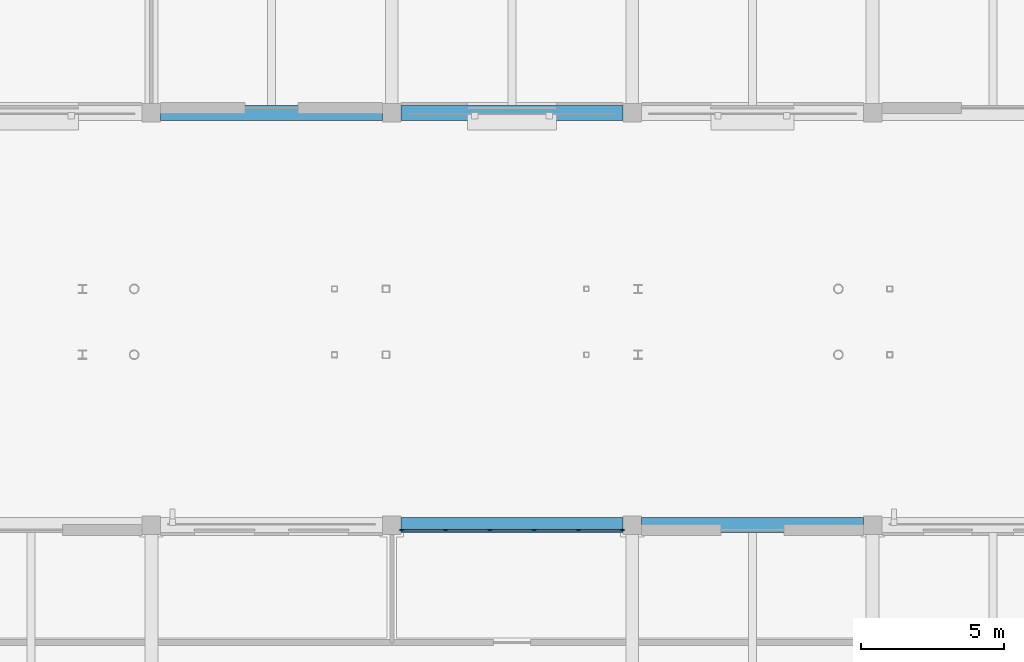
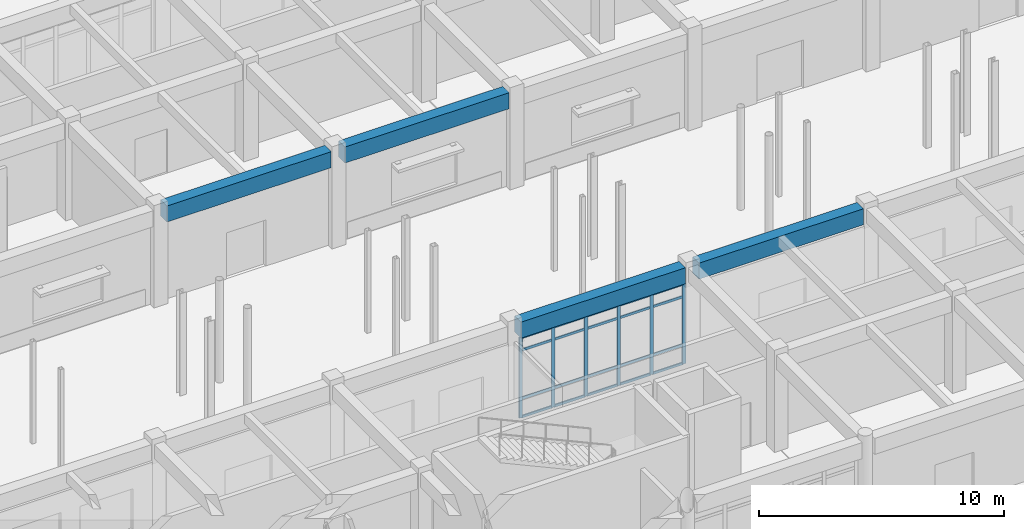
# One storey, part 45 of 121: 26 members, 4 beams, 1 element without a shape of its own.
"""IFC4 building model written with IfcOpenShell, lengths in metres."""

from ifc_helpers import new_model, si_unit, direction, frame, origin, origin_2d, place, context, subcontext, project, spatial, rectangle, extrude, material, material_profile, profile_set, type_object, element, aggregate, save


model = new_model("IFC4")

# Units and contexts
model_context = context("Model", 3, precision=1e-05, world=origin(), true_north=direction((0.0, 1.0)))
body_context = subcontext(model_context, "Body", "Model", "MODEL_VIEW")
ifc_project = project(units=[si_unit("LENGTHUNIT", "METRE"), si_unit("AREAUNIT", "SQUARE_METRE"), si_unit("VOLUMEUNIT", "CUBIC_METRE"), si_unit("PLANEANGLEUNIT", "RADIAN"), si_unit("MASSUNIT", "GRAM", prefix="KILO")], contexts=[model_context])

# Site, building, storey
site_placement = place(None, origin())
site = spatial("IfcSite", under=ifc_project, at=site_placement, CompositionType="ELEMENT")
building_placement = place(site_placement, origin())
building = spatial("IfcBuilding", under=site, at=building_placement, Name="Malvenik Polytechnic", CompositionType="ELEMENT")
storey_placement = place(building_placement, origin())
storey = spatial("IfcBuildingStorey", under=building, at=storey_placement, Name="L00", CompositionType="ELEMENT", Elevation=0.0)

# Curtain wall, members
ifc_material_1 = material(Name="Anodised aluminium 6060-T6", Category="aluminium")
curtain_wall_type = type_object("IfcCurtainWallType", Name="ARC-CW-CW-01", PredefinedType="NOTDEFINED", material=ifc_material_1)
curtain_wall_placement = place(storey_placement, origin())
curtain_wall = element("IfcCurtainWall", 1, at=curtain_wall_placement, inside=storey, type_object=curtain_wall_type, Name="Unitised Curtain Wall CW-01 L00 #5", PredefinedType="NOTDEFINED")
ifc_material_2 = material(Name="Anodised aluminium", Category="aluminium")
ifc_material_profile_1 = material_profile(ifc_material_2, rectangle(XDim=0.06005859375, YDim=0.159912109375, at=origin_2d()), Name="ALU MULLION 60x160")
ifc_profile_set_1 = profile_set([ifc_material_profile_1], Name="Anodised aluminium")
member_type_1 = type_object("IfcMemberType", Name="ARC-CWM-160", PredefinedType="MULLION", material=ifc_profile_set_1)
member_1_placement = place(storey_placement, frame((42.35302734375, 64.6298828125, 0.0), z_axis=(0.0, 0.0, 1.0), x_axis=(0.0, 1.0, 0.0)))
member_1 = element("IfcMember", 2, at=member_1_placement, type_object=member_type_1, Name="CW-01 mullion 1", PredefinedType="MULLION", context=body_context, shape_type="SweptSolid", body=[
    extrude(rectangle(XDim=0.06005859375, YDim=0.159912109375, at=origin_2d()), origin(), (0.0, 0.0, 1.0), 4.010009765625),
])
member_2_placement = place(storey_placement, frame((43.873779296875, 64.6298828125, 0.0), z_axis=(0.0, 0.0, 1.0), x_axis=(0.0, 1.0, 0.0)))
member_2 = element("IfcMember", 3, at=member_2_placement, type_object=member_type_1, Name="CW-01 mullion 2", PredefinedType="MULLION", context=body_context, shape_type="SweptSolid", body=[
    extrude(rectangle(XDim=0.06005859375, YDim=0.159912109375, at=origin_2d()), origin(), (0.0, 0.0, 1.0), 4.010009765625),
])
member_3_placement = place(storey_placement, frame((45.424560546875, 64.6298828125, 0.0), z_axis=(0.0, 0.0, 1.0), x_axis=(0.0, 1.0, 0.0)))
member_3 = element("IfcMember", 4, at=member_3_placement, type_object=member_type_1, Name="CW-01 mullion 3", PredefinedType="MULLION", context=body_context, shape_type="SweptSolid", body=[
    extrude(rectangle(XDim=0.06005859375, YDim=0.159912109375, at=origin_2d()), origin(), (0.0, 0.0, 1.0), 4.010009765625),
])
member_4_placement = place(storey_placement, frame((46.975341796875, 64.6298828125, 0.0), z_axis=(0.0, 0.0, 1.0), x_axis=(0.0, 1.0, 0.0)))
member_4 = element("IfcMember", 5, at=member_4_placement, type_object=member_type_1, Name="CW-01 mullion 4", PredefinedType="MULLION", context=body_context, shape_type="SweptSolid", body=[
    extrude(rectangle(XDim=0.06005859375, YDim=0.159912109375, at=origin_2d()), origin(), (0.0, 0.0, 1.0), 4.010009765625),
])
member_5_placement = place(storey_placement, frame((48.526123046875, 64.6298828125, 0.0), z_axis=(0.0, 0.0, 1.0), x_axis=(0.0, 1.0, 0.0)))
member_5 = element("IfcMember", 6, at=member_5_placement, type_object=member_type_1, Name="CW-01 mullion 5", PredefinedType="MULLION", context=body_context, shape_type="SweptSolid", body=[
    extrude(rectangle(XDim=0.06005859375, YDim=0.159912109375, at=origin_2d()), origin(), (0.0, 0.0, 1.0), 4.010009765625),
])
member_6_placement = place(storey_placement, frame((50.047119140625, 64.6298828125, 0.0), z_axis=(0.0, 0.0, 1.0), x_axis=(0.0, 1.0, 0.0)))
member_6 = element("IfcMember", 7, at=member_6_placement, type_object=member_type_1, Name="CW-01 mullion 6", PredefinedType="MULLION", context=body_context, shape_type="SweptSolid", body=[
    extrude(rectangle(XDim=0.06005859375, YDim=0.159912109375, at=origin_2d()), origin(), (0.0, 0.0, 1.0), 4.010009765625),
])
ifc_material_profile_2 = material_profile(ifc_material_2, rectangle(XDim=0.06005859375, YDim=0.1201171875, at=origin_2d()), Name="ALU TRANSOM 60x120")
ifc_profile_set_2 = profile_set([ifc_material_profile_2], Name="Anodised aluminium")
member_type_2 = type_object("IfcMemberType", Name="ARC-CWT-120", PredefinedType="USERDEFINED", material=ifc_profile_set_2)
member_7_placement = place(storey_placement, frame((42.383056640625, 64.6298828125, 0.030029296875), z_axis=(1.0, 0.0, 0.0), x_axis=(0.0, 1.0, 0.0)))
member_7 = element("IfcMember", 8, at=member_7_placement, type_object=member_type_2, Name="CW-01 transom 1.1", ObjectType="TRANSOM", PredefinedType="USERDEFINED", context=body_context, shape_type="SweptSolid", body=[
    extrude(rectangle(XDim=0.06005859375, YDim=0.1201171875, at=origin_2d()), origin(), (0.0, 0.0, 1.0), 1.460693359375),
])
member_8_placement = place(storey_placement, frame((42.383056640625, 64.6298828125, 0.949951171875), z_axis=(1.0, 0.0, 0.0), x_axis=(0.0, 1.0, 0.0)))
member_8 = element("IfcMember", 9, at=member_8_placement, type_object=member_type_2, Name="CW-01 transom 1.2", ObjectType="TRANSOM", PredefinedType="USERDEFINED", context=body_context, shape_type="SweptSolid", body=[
    extrude(rectangle(XDim=0.06005859375, YDim=0.1201171875, at=origin_2d()), origin(), (0.0, 0.0, 1.0), 1.460693359375),
])
member_9_placement = place(storey_placement, frame((42.383056640625, 64.6298828125, 3.360107421875), z_axis=(1.0, 0.0, 0.0), x_axis=(0.0, 1.0, 0.0)))
member_9 = element("IfcMember", 10, at=member_9_placement, type_object=member_type_2, Name="CW-01 transom 1.3", ObjectType="TRANSOM", PredefinedType="USERDEFINED", context=body_context, shape_type="SweptSolid", body=[
    extrude(rectangle(XDim=0.06005859375, YDim=0.1201171875, at=origin_2d()), origin(), (0.0, 0.0, 1.0), 1.460693359375),
])
member_10_placement = place(storey_placement, frame((42.383056640625, 64.6298828125, 3.97998046875), z_axis=(1.0, 0.0, 0.0), x_axis=(0.0, 1.0, 0.0)))
member_10 = element("IfcMember", 11, at=member_10_placement, type_object=member_type_2, Name="CW-01 transom 1.4", ObjectType="TRANSOM", PredefinedType="USERDEFINED", context=body_context, shape_type="SweptSolid", body=[
    extrude(rectangle(XDim=0.06005859375, YDim=0.1201171875, at=origin_2d()), origin(), (0.0, 0.0, 1.0), 1.460693359375),
])
member_11_placement = place(storey_placement, frame((43.90380859375, 64.6298828125, 0.030029296875), z_axis=(1.0, 0.0, 0.0), x_axis=(0.0, 1.0, 0.0)))
member_11 = element("IfcMember", 12, at=member_11_placement, type_object=member_type_2, Name="CW-01 transom 2.1", ObjectType="TRANSOM", PredefinedType="USERDEFINED", context=body_context, shape_type="SweptSolid", body=[
    extrude(rectangle(XDim=0.06005859375, YDim=0.1201171875, at=origin_2d()), origin(), (0.0, 0.0, 1.0), 1.49072265625),
])
member_12_placement = place(storey_placement, frame((43.90380859375, 64.6298828125, 0.949951171875), z_axis=(1.0, 0.0, 0.0), x_axis=(0.0, 1.0, 0.0)))
member_12 = element("IfcMember", 13, at=member_12_placement, type_object=member_type_2, Name="CW-01 transom 2.2", ObjectType="TRANSOM", PredefinedType="USERDEFINED", context=body_context, shape_type="SweptSolid", body=[
    extrude(rectangle(XDim=0.06005859375, YDim=0.1201171875, at=origin_2d()), origin(), (0.0, 0.0, 1.0), 1.49072265625),
])
member_13_placement = place(storey_placement, frame((43.90380859375, 64.6298828125, 3.360107421875), z_axis=(1.0, 0.0, 0.0), x_axis=(0.0, 1.0, 0.0)))
member_13 = element("IfcMember", 14, at=member_13_placement, type_object=member_type_2, Name="CW-01 transom 2.3", ObjectType="TRANSOM", PredefinedType="USERDEFINED", context=body_context, shape_type="SweptSolid", body=[
    extrude(rectangle(XDim=0.06005859375, YDim=0.1201171875, at=origin_2d()), origin(), (0.0, 0.0, 1.0), 1.49072265625),
])
member_14_placement = place(storey_placement, frame((43.90380859375, 64.6298828125, 3.97998046875), z_axis=(1.0, 0.0, 0.0), x_axis=(0.0, 1.0, 0.0)))
member_14 = element("IfcMember", 15, at=member_14_placement, type_object=member_type_2, Name="CW-01 transom 2.4", ObjectType="TRANSOM", PredefinedType="USERDEFINED", context=body_context, shape_type="SweptSolid", body=[
    extrude(rectangle(XDim=0.06005859375, YDim=0.1201171875, at=origin_2d()), origin(), (0.0, 0.0, 1.0), 1.49072265625),
])
member_15_placement = place(storey_placement, frame((45.45458984375, 64.6298828125, 0.030029296875), z_axis=(1.0, 0.0, 0.0), x_axis=(0.0, 1.0, 0.0)))
member_15 = element("IfcMember", 16, at=member_15_placement, type_object=member_type_2, Name="CW-01 transom 3.1", ObjectType="TRANSOM", PredefinedType="USERDEFINED", context=body_context, shape_type="SweptSolid", body=[
    extrude(rectangle(XDim=0.06005859375, YDim=0.1201171875, at=origin_2d()), origin(), (0.0, 0.0, 1.0), 1.49072265625),
])
member_16_placement = place(storey_placement, frame((45.45458984375, 64.6298828125, 0.949951171875), z_axis=(1.0, 0.0, 0.0), x_axis=(0.0, 1.0, 0.0)))
member_16 = element("IfcMember", 17, at=member_16_placement, type_object=member_type_2, Name="CW-01 transom 3.2", ObjectType="TRANSOM", PredefinedType="USERDEFINED", context=body_context, shape_type="SweptSolid", body=[
    extrude(rectangle(XDim=0.06005859375, YDim=0.1201171875, at=origin_2d()), origin(), (0.0, 0.0, 1.0), 1.49072265625),
])
member_17_placement = place(storey_placement, frame((45.45458984375, 64.6298828125, 3.360107421875), z_axis=(1.0, 0.0, 0.0), x_axis=(0.0, 1.0, 0.0)))
member_17 = element("IfcMember", 18, at=member_17_placement, type_object=member_type_2, Name="CW-01 transom 3.3", ObjectType="TRANSOM", PredefinedType="USERDEFINED", context=body_context, shape_type="SweptSolid", body=[
    extrude(rectangle(XDim=0.06005859375, YDim=0.1201171875, at=origin_2d()), origin(), (0.0, 0.0, 1.0), 1.49072265625),
])
member_18_placement = place(storey_placement, frame((45.45458984375, 64.6298828125, 3.97998046875), z_axis=(1.0, 0.0, 0.0), x_axis=(0.0, 1.0, 0.0)))
member_18 = element("IfcMember", 19, at=member_18_placement, type_object=member_type_2, Name="CW-01 transom 3.4", ObjectType="TRANSOM", PredefinedType="USERDEFINED", context=body_context, shape_type="SweptSolid", body=[
    extrude(rectangle(XDim=0.06005859375, YDim=0.1201171875, at=origin_2d()), origin(), (0.0, 0.0, 1.0), 1.49072265625),
])
member_19_placement = place(storey_placement, frame((47.00537109375, 64.6298828125, 0.030029296875), z_axis=(1.0, 0.0, 0.0), x_axis=(0.0, 1.0, 0.0)))
member_19 = element("IfcMember", 20, at=member_19_placement, type_object=member_type_2, Name="CW-01 transom 4.1", ObjectType="TRANSOM", PredefinedType="USERDEFINED", context=body_context, shape_type="SweptSolid", body=[
    extrude(rectangle(XDim=0.06005859375, YDim=0.1201171875, at=origin_2d()), origin(), (0.0, 0.0, 1.0), 1.49072265625),
])
member_20_placement = place(storey_placement, frame((47.00537109375, 64.6298828125, 0.949951171875), z_axis=(1.0, 0.0, 0.0), x_axis=(0.0, 1.0, 0.0)))
member_20 = element("IfcMember", 21, at=member_20_placement, type_object=member_type_2, Name="CW-01 transom 4.2", ObjectType="TRANSOM", PredefinedType="USERDEFINED", context=body_context, shape_type="SweptSolid", body=[
    extrude(rectangle(XDim=0.06005859375, YDim=0.1201171875, at=origin_2d()), origin(), (0.0, 0.0, 1.0), 1.49072265625),
])
member_21_placement = place(storey_placement, frame((47.00537109375, 64.6298828125, 3.360107421875), z_axis=(1.0, 0.0, 0.0), x_axis=(0.0, 1.0, 0.0)))
member_21 = element("IfcMember", 22, at=member_21_placement, type_object=member_type_2, Name="CW-01 transom 4.3", ObjectType="TRANSOM", PredefinedType="USERDEFINED", context=body_context, shape_type="SweptSolid", body=[
    extrude(rectangle(XDim=0.06005859375, YDim=0.1201171875, at=origin_2d()), origin(), (0.0, 0.0, 1.0), 1.49072265625),
])
member_22_placement = place(storey_placement, frame((47.00537109375, 64.6298828125, 3.97998046875), z_axis=(1.0, 0.0, 0.0), x_axis=(0.0, 1.0, 0.0)))
member_22 = element("IfcMember", 23, at=member_22_placement, type_object=member_type_2, Name="CW-01 transom 4.4", ObjectType="TRANSOM", PredefinedType="USERDEFINED", context=body_context, shape_type="SweptSolid", body=[
    extrude(rectangle(XDim=0.06005859375, YDim=0.1201171875, at=origin_2d()), origin(), (0.0, 0.0, 1.0), 1.49072265625),
])
member_23_placement = place(storey_placement, frame((48.55615234375, 64.6298828125, 0.030029296875), z_axis=(1.0, 0.0, 0.0), x_axis=(0.0, 1.0, 0.0)))
member_23 = element("IfcMember", 24, at=member_23_placement, type_object=member_type_2, Name="CW-01 transom 5.1", ObjectType="TRANSOM", PredefinedType="USERDEFINED", context=body_context, shape_type="SweptSolid", body=[
    extrude(rectangle(XDim=0.06005859375, YDim=0.1201171875, at=origin_2d()), origin(), (0.0, 0.0, 1.0), 1.4609375),
])
member_24_placement = place(storey_placement, frame((48.55615234375, 64.6298828125, 0.949951171875), z_axis=(1.0, 0.0, 0.0), x_axis=(0.0, 1.0, 0.0)))
member_24 = element("IfcMember", 25, at=member_24_placement, type_object=member_type_2, Name="CW-01 transom 5.2", ObjectType="TRANSOM", PredefinedType="USERDEFINED", context=body_context, shape_type="SweptSolid", body=[
    extrude(rectangle(XDim=0.06005859375, YDim=0.1201171875, at=origin_2d()), origin(), (0.0, 0.0, 1.0), 1.4609375),
])
member_25_placement = place(storey_placement, frame((48.55615234375, 64.6298828125, 3.360107421875), z_axis=(1.0, 0.0, 0.0), x_axis=(0.0, 1.0, 0.0)))
member_25 = element("IfcMember", 26, at=member_25_placement, type_object=member_type_2, Name="CW-01 transom 5.3", ObjectType="TRANSOM", PredefinedType="USERDEFINED", context=body_context, shape_type="SweptSolid", body=[
    extrude(rectangle(XDim=0.06005859375, YDim=0.1201171875, at=origin_2d()), origin(), (0.0, 0.0, 1.0), 1.4609375),
])
member_26_placement = place(storey_placement, frame((48.55615234375, 64.6298828125, 3.97998046875), z_axis=(1.0, 0.0, 0.0), x_axis=(0.0, 1.0, 0.0)))
member_26 = element("IfcMember", 27, at=member_26_placement, type_object=member_type_2, Name="CW-01 transom 5.4", ObjectType="TRANSOM", PredefinedType="USERDEFINED", context=body_context, shape_type="SweptSolid", body=[
    extrude(rectangle(XDim=0.06005859375, YDim=0.1201171875, at=origin_2d()), origin(), (0.0, 0.0, 1.0), 1.4609375),
])
aggregate(curtain_wall, [member_1, member_2, member_3, member_4, member_5, member_6, member_7, member_8, member_9, member_10, member_11, member_12, member_13, member_14, member_15, member_16, member_17, member_18, member_19, member_20, member_21, member_22, member_23, member_24, member_25, member_26])

# Beams
ifc_material_3 = material(Name="Precast concrete C40/50", Category="concrete")
ifc_material_profile_3 = material_profile(ifc_material_3, rectangle(XDim=0.52001953125, YDim=0.800048828125, at=origin_2d()), Name="PC SPN 520x800")
ifc_profile_set_3 = profile_set([ifc_material_profile_3], Name="Precast concrete C40/50")
beam_type = type_object("IfcBeamType", Name="STR-BM-SP-01", PredefinedType="SPANDREL", material=ifc_profile_set_3)
beam_1_placement = place(storey_placement, frame((42.322998046875, 64.800048828125, 4.419921875), z_axis=(1.0, 0.0, 0.0), x_axis=(0.0, 1.0, 0.0)))
element("IfcBeam", 28, at=beam_1_placement, inside=storey, type_object=beam_type, Name="Primary Beam SP-01 L00 #600", PredefinedType="SPANDREL", context=body_context, shape_type="SweptSolid", body=[
    extrude(rectangle(XDim=0.52001953125, YDim=0.800048828125, at=origin_2d()), origin(), (0.0, 0.0, 1.0), 7.75390625),
])
beam_2_placement = place(storey_placement, frame((50.722900390625, 64.800048828125, 4.419921875), z_axis=(1.0, 0.0, 0.0), x_axis=(0.0, 1.0, 0.0)))
element("IfcBeam", 29, at=beam_2_placement, inside=storey, type_object=beam_type, Name="Primary Beam SP-01 L00 #601", PredefinedType="SPANDREL", context=body_context, shape_type="SweptSolid", body=[
    extrude(rectangle(XDim=0.52001953125, YDim=0.800048828125, at=origin_2d()), origin(), (0.0, 0.0, 1.0), 7.754150390625),
])
for number, where, z_axis, x_axis, name in (
    (30, (33.923095703125, 79.199951171875, 4.419921875), (1.0, 0.0, 0.0), (0.0, 1.0, 0.0), "Primary Beam SP-01 L00 #616"),
    (31, (42.322998046875, 79.199951171875, 4.419921875), (1.0, 0.0, 0.0), (0.0, 1.0, 0.0), "Primary Beam SP-01 L00 #617"),
):
    element("IfcBeam", number, at=place(storey_placement, frame(where, z_axis=z_axis, x_axis=x_axis)), inside=storey, type_object=beam_type, Name=name, PredefinedType="SPANDREL", context=body_context, shape_type="SweptSolid", body=[
        extrude(rectangle(XDim=0.52001953125, YDim=0.800048828125, at=origin_2d()), origin(), (0.0, 0.0, 1.0), 7.75390625),
    ])

save(model, "model.ifc")
